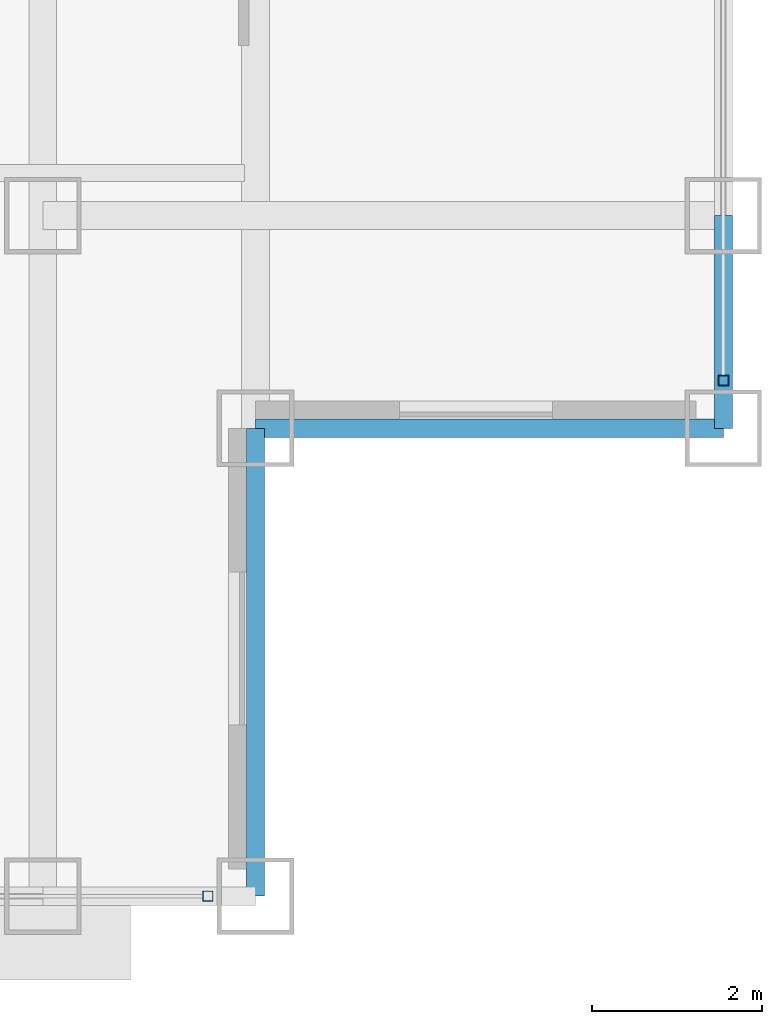
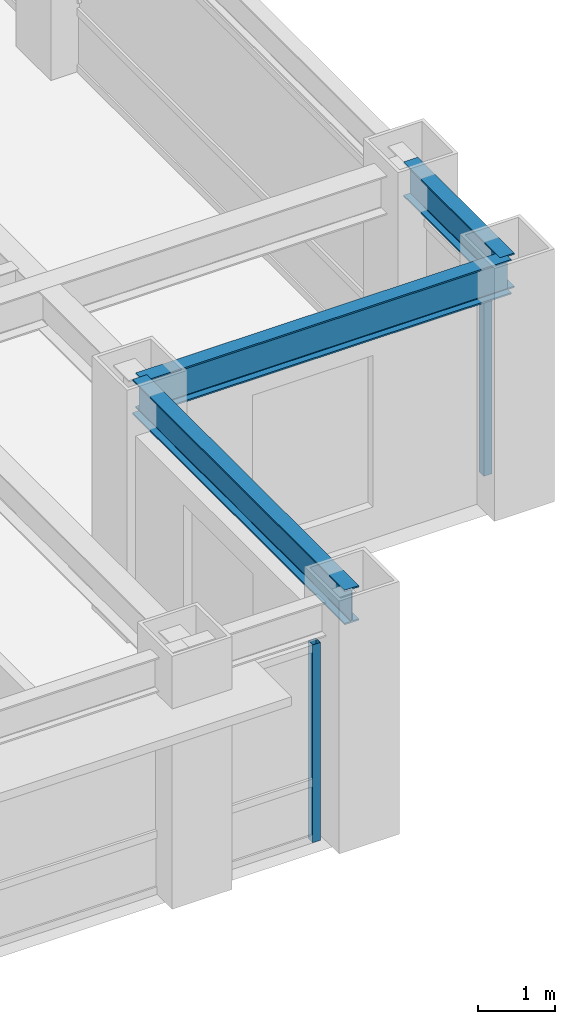
# One storey, part 8 of 27: 3 beams, 2 members, 2 elements without a shape of their own.
"""IFC4 building model written with IfcOpenShell, lengths in metres."""

from ifc_helpers import new_model, si_unit, direction, frame, origin, origin_2d, place, context, subcontext, project, spatial, hollow_rectangle, i_section, extrude, source, transform, mapped, material, material_profile, profile_set, type_object, element, aggregate, save


model = new_model("IFC4")

# Units and contexts
model_context = context("Model", 3, precision=1e-05, world=origin(), true_north=direction((0.0, 1.0)))
body_context = subcontext(model_context, "Body", "Model", "MODEL_VIEW")
ifc_project = project(units=[si_unit("LENGTHUNIT", "METRE"), si_unit("AREAUNIT", "SQUARE_METRE"), si_unit("VOLUMEUNIT", "CUBIC_METRE"), si_unit("PLANEANGLEUNIT", "RADIAN"), si_unit("MASSUNIT", "GRAM", prefix="KILO")], contexts=[model_context])

# Site, building, storey
site_placement = place(None, origin())
site = spatial("IfcSite", under=ifc_project, at=site_placement, CompositionType="ELEMENT")
building_placement = place(site_placement, origin())
building = spatial("IfcBuilding", under=site, at=building_placement, Name="Khorayat Bourse Tower", CompositionType="ELEMENT")
storey_placement = place(building_placement, frame((0.0, 0.0, 313.5)))
storey = spatial("IfcBuildingStorey", under=building, at=storey_placement, Name="L74", CompositionType="ELEMENT", Elevation=313.5)

# Beams
ifc_material_1 = material(Name="Steel ASTM A992 Grade 50", Category="steel")
ifc_material_profile_1 = material_profile(ifc_material_1, i_section(OverallWidth=0.214111328125, OverallDepth=0.549072265625, WebThickness=0.0146484375, FlangeThickness=0.023681640625, FilletRadius=0.013916015625, at=origin_2d()), Name="W530X138")
ifc_profile_set_1 = profile_set([ifc_material_profile_1], Name="Steel ASTM A992 Grade 50")
beam_type = type_object("IfcBeamType", Name="BM-SPAN-530", PredefinedType="SPANDREL", material=ifc_profile_set_1)
shared_shape_1 = source(origin(), body_context, "Body", "SweptSolid", [
    extrude(i_section(OverallWidth=0.214111328125, OverallDepth=0.549072265625, WebThickness=0.0146484375, FlangeThickness=0.023681640625, FilletRadius=0.013916015625, at=origin_2d()), origin(), (0.0, 0.0, 1.0), 2.5),
])
beam_placement = place(storey_placement, frame((28.0, -22.5, 3.505615234375), z_axis=(0.0, 1.0, 0.0), x_axis=(-1.0, 0.0, 0.0)))
element("IfcBeam", 1, at=beam_placement, inside=storey, type_object=beam_type, Name="L74 BM-SPAN-530 BM-L74-SPN-034", PredefinedType="SPANDREL", context=body_context, shape_type="MappedRepresentation", body=[
    mapped(shared_shape_1, transform((0.0, 0.0, 0.0), scale=1.0)),
])
shared_shape_2 = source(origin(), body_context, "Body", "SweptSolid", [
    extrude(i_section(OverallWidth=0.214111328125, OverallDepth=0.549072265625, WebThickness=0.0146484375, FlangeThickness=0.023681640625, FilletRadius=0.013916015625, at=origin_2d()), origin(), (0.0, 0.0, 1.0), 5.5),
])
for number, where, z_axis, x_axis, name in (
    (2, (22.5, -28.0, 3.505615234375), (0.0, 1.0, 0.0), (-1.0, 0.0, 0.0), "L74 BM-SPAN-530 BM-L74-SPN-032"),
    (3, (22.5, -22.5, 3.505615234375), (1.0, 0.0, 0.0), (0.0, 1.0, 0.0), "L74 BM-SPAN-530 BM-L74-SPN-033"),
):
    element("IfcBeam", number, at=place(storey_placement, frame(where, z_axis=z_axis, x_axis=x_axis)), inside=storey, type_object=beam_type, Name=name, PredefinedType="SPANDREL", context=body_context, shape_type="MappedRepresentation", body=[
        mapped(shared_shape_2, transform((0.0, 0.0, 0.0), scale=1.0)),
    ])

# Curtain wall, member
ifc_material_2 = material(Name="Aluminium EN AW-6063 T6", Category="aluminium")
curtain_wall_type = type_object("IfcCurtainWallType", Name="CW-SYS-04", PredefinedType="NOTDEFINED", material=ifc_material_2)
curtain_wall_1_placement = place(storey_placement, origin())
curtain_wall_1 = element("IfcCurtainWall", 4, at=curtain_wall_1_placement, inside=storey, type_object=curtain_wall_type, Name="L74 Curtain Wall CW-L74-S1", PredefinedType="NOTDEFINED")
ifc_material_profile_2 = material_profile(ifc_material_2, hollow_rectangle(XDim=0.1201171875, YDim=0.1201171875, WallThickness=0.0048828125, at=origin_2d()), Name="ALU 120x120x5")
ifc_profile_set_2 = profile_set([ifc_material_profile_2], Name="Aluminium EN AW-6063 T6")
member_type = type_object("IfcMemberType", Name="CWM-VERT-120", PredefinedType="MULLION", material=ifc_profile_set_2)
shared_shape_3 = source(origin(), body_context, "Body", "SweptSolid", [
    extrude(hollow_rectangle(XDim=0.1201171875, YDim=0.1201171875, WallThickness=0.0048828125, at=origin_2d()), origin(), (0.0, 0.0, 1.0), 3.1298828125),
])
member_1_placement = place(storey_placement, frame((21.93994140625, -28.0, 0.0), z_axis=(0.0, 0.0, 1.0), x_axis=(0.0, 1.0, 0.0)))
member_1 = element("IfcMember", 5, at=member_1_placement, type_object=member_type, Name="CW-L74-S1 Vertical Mullion 3", PredefinedType="MULLION", context=body_context, shape_type="MappedRepresentation", body=[
    mapped(shared_shape_3, transform((0.0, 0.0, 0.0), scale=1.0)),
])
aggregate(curtain_wall_1, [member_1])

curtain_wall_2_placement = place(storey_placement, origin())
curtain_wall_2 = element("IfcCurtainWall", 6, at=curtain_wall_2_placement, inside=storey, type_object=curtain_wall_type, Name="L74 Curtain Wall CW-L74-E1", PredefinedType="NOTDEFINED")
member_2_placement = place(storey_placement, frame((28.0, -21.93994140625, 0.0), z_axis=(0.0, 0.0, 1.0), x_axis=(-1.0, 0.0, 0.0)))
member_2 = element("IfcMember", 7, at=member_2_placement, type_object=member_type, Name="CW-L74-E1 Vertical Mullion 1", PredefinedType="MULLION", context=body_context, shape_type="MappedRepresentation", body=[
    mapped(shared_shape_3, transform((0.0, 0.0, 0.0), scale=1.0)),
])
aggregate(curtain_wall_2, [member_2])

save(model, "model.ifc")
